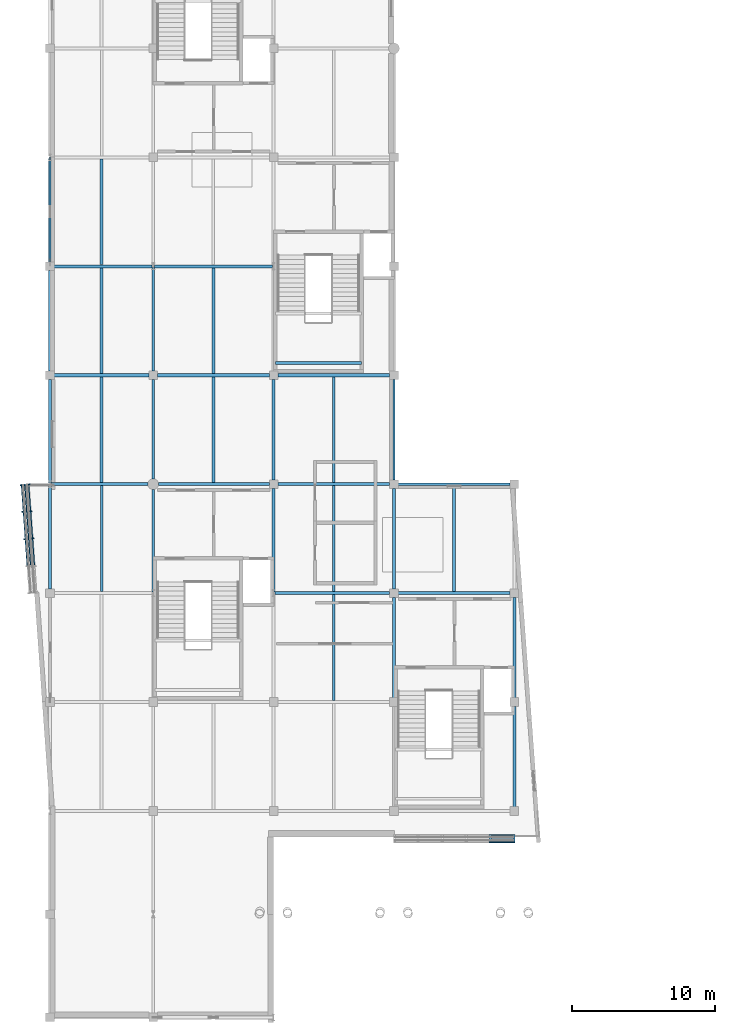
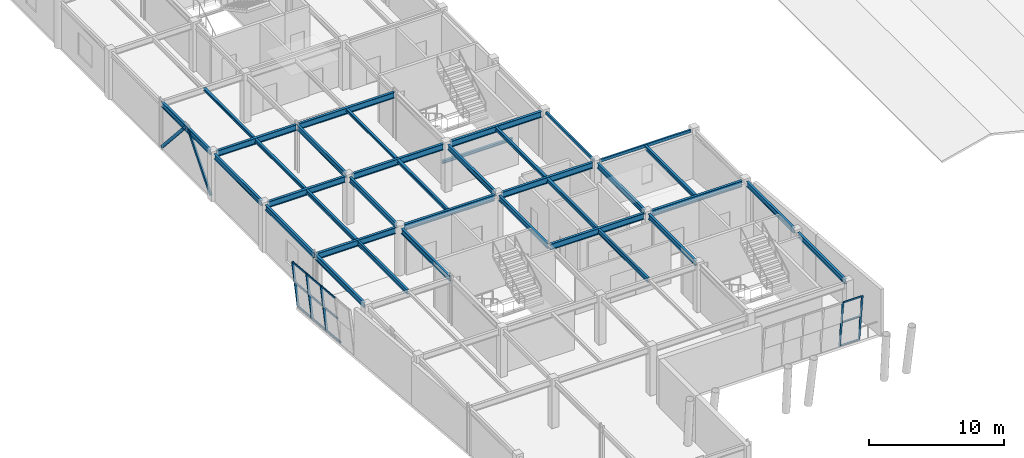
# One storey, part 10 of 28: 36 beams, 19 members, 2 elements without a shape of their own.
"""IFC4 building model written with IfcOpenShell, lengths in metres."""

from ifc_helpers import new_model, si_unit, direction, frame, origin, origin_2d, place, context, subcontext, project, spatial, hollow_rectangle, i_section, extrude, material, layer, layer_set, material_profile, profile_set, type_object, element, aggregate, save


model = new_model("IFC4")

# Units and contexts
model_context = context("Model", 3, precision=1e-05, world=origin(), true_north=direction((0.0, 1.0)))
body_context = subcontext(model_context, "Body", "Model", "MODEL_VIEW")
ifc_project = project(units=[si_unit("LENGTHUNIT", "METRE"), si_unit("AREAUNIT", "SQUARE_METRE"), si_unit("VOLUMEUNIT", "CUBIC_METRE"), si_unit("PLANEANGLEUNIT", "RADIAN"), si_unit("MASSUNIT", "GRAM", prefix="KILO")], contexts=[model_context])

# Site, building, storey
site_placement = place(None, origin())
site = spatial("IfcSite", under=ifc_project, at=site_placement, CompositionType="ELEMENT")
building_placement = place(site_placement, origin())
building = spatial("IfcBuilding", under=site, at=building_placement, Name="Xicomal Pleat Aquarium", CompositionType="ELEMENT")
storey_placement = place(building_placement, frame((0.0, 0.0, 15.300048828125)))
storey = spatial("IfcBuildingStorey", under=building, at=storey_placement, Name="L04", CompositionType="ELEMENT", Elevation=15.300048828125)

# Beams
ifc_material_1 = material(Name="Structural steel A992 Gr 50", Category="steel")
ifc_material_profile_1 = material_profile(ifc_material_1, i_section(OverallWidth=0.201904296875, OverallDepth=0.2470703125, WebThickness=0.00732421875, FlangeThickness=0.010986328125, at=origin_2d()), Name="IR 250x49")
ifc_profile_set_1 = profile_set([ifc_material_profile_1], Name="Structural steel A992 Gr 50")
beam_type_1 = type_object("IfcBeamType", Name="BM-STL-IR250", PredefinedType="JOIST", material=ifc_profile_set_1)
beam_1_placement = place(storey_placement, frame((6.60009765625, 53.30908203125, 4.16650390625), z_axis=(0.0, 1.0, 0.0), x_axis=(-1.0, 0.0, 0.0)))
element("IfcBeam", 1, at=beam_1_placement, inside=storey, type_object=beam_type_1, Name="L04 framing beam FBJ-L04-01-H-1", PredefinedType="JOIST", context=body_context, shape_type="SweptSolid", body=[
    extrude(i_section(OverallWidth=0.201904296875, OverallDepth=0.2470703125, WebThickness=0.00732421875, FlangeThickness=0.010986328125, at=origin_2d()), origin(), (0.0, 0.0, 1.0), 7.3818359375),
])
beam_2_placement = place(storey_placement, frame((14.39990234375, 45.708984375, 4.16650390625), z_axis=(0.0, 1.0, 0.0), x_axis=(-1.0, 0.0, 0.0)))
element("IfcBeam", 2, at=beam_2_placement, inside=storey, type_object=beam_type_1, Name="L04 framing beam FBJ-L04-02-G-1", PredefinedType="JOIST", context=body_context, shape_type="SweptSolid", body=[
    extrude(i_section(OverallWidth=0.201904296875, OverallDepth=0.2470703125, WebThickness=0.00732421875, FlangeThickness=0.010986328125, at=origin_2d()), origin(), (0.0, 0.0, 1.0), 7.382080078125),
])
beam_3_placement = place(storey_placement, frame((18.719970703125, 46.449951171875, 1.928955078125), z_axis=(1.0, 0.0, 0.0), x_axis=(0.0, 1.0, 0.0)))
element("IfcBeam", 3, at=beam_3_placement, inside=storey, type_object=beam_type_1, Name="ST-04-L04 half-landing bearer beam 1", PredefinedType="JOIST", context=body_context, shape_type="SweptSolid", body=[
    extrude(i_section(OverallWidth=0.201904296875, OverallDepth=0.2470703125, WebThickness=0.00732421875, FlangeThickness=0.010986328125, at=origin_2d()), origin(), (0.0, 0.0, 1.0), 6.02001953125),
])
ifc_material_2 = material(Name="Structural steel A992 Gr 50", Category="steel")
ifc_material_profile_2 = material_profile(ifc_material_2, i_section(OverallWidth=0.202880859375, OverallDepth=0.302978515625, WebThickness=0.007568359375, FlangeThickness=0.01318359375, at=origin_2d()), Name="IR 310x60")
ifc_profile_set_2 = profile_set([ifc_material_profile_2], Name="Structural steel A992 Gr 50")
beam_type_2 = type_object("IfcBeamType", Name="BM-STL-IR310", PredefinedType="JOIST", material=ifc_profile_set_2)
for number, where, z_axis, x_axis, name in (
    (4, (6.60009765625, 45.708984375, 4.138427734375), (0.0, 1.0, 0.0), (-1.0, 0.0, 0.0), "L04 framing beam FBJ-L04-01-G-1"),
    (5, (14.39990234375, 38.10888671875, 4.138427734375), (0.0, 1.0, 0.0), (-1.0, 0.0, 0.0), "L04 framing beam FBJ-L04-02-F-1"),
    (6, (22.800048828125, 38.10888671875, 4.138427734375), (0.0, 1.0, 0.0), (-1.0, 0.0, 0.0), "L04 framing beam FBJ-L04-03-F-1"),
):
    element("IfcBeam", number, at=place(storey_placement, frame(where, z_axis=z_axis, x_axis=x_axis)), inside=storey, type_object=beam_type_2, Name=name, PredefinedType="JOIST", context=body_context, shape_type="SweptSolid", body=[
        extrude(i_section(OverallWidth=0.202880859375, OverallDepth=0.302978515625, WebThickness=0.007568359375, FlangeThickness=0.01318359375, at=origin_2d()), origin(), (0.0, 0.0, 1.0), 7.382080078125),
    ])
ifc_material_3 = material(Name="Structural steel A992 Gr 50", Category="steel")
ifc_material_profile_3 = material_profile(ifc_material_3, i_section(OverallWidth=0.205078125, OverallDepth=0.35400390625, WebThickness=0.009521484375, FlangeThickness=0.016845703125, at=origin_2d()), Name="IR 360x79")
ifc_profile_set_3 = profile_set([ifc_material_profile_3], Name="Structural steel A992 Gr 50")
beam_type_3 = type_object("IfcBeamType", Name="BM-STL-IR360", PredefinedType="JOIST", material=ifc_profile_set_3)
for number, where, z_axis, x_axis, name in (
    (7, (6.60009765625, 38.10888671875, 4.113037109375), (0.0, 1.0, 0.0), (-1.0, 0.0, 0.0), "L04 framing beam FBJ-L04-01-F-1"),
    (8, (22.800048828125, 30.509033203125, 4.113037109375), (0.0, 1.0, 0.0), (-1.0, 0.0, 0.0), "L04 framing beam FBJ-L04-03-E-1"),
):
    element("IfcBeam", number, at=place(storey_placement, frame(where, z_axis=z_axis, x_axis=x_axis)), inside=storey, type_object=beam_type_3, Name=name, PredefinedType="JOIST", context=body_context, shape_type="SweptSolid", body=[
        extrude(i_section(OverallWidth=0.205078125, OverallDepth=0.35400390625, WebThickness=0.009521484375, FlangeThickness=0.016845703125, at=origin_2d()), origin(), (0.0, 0.0, 1.0), 7.382080078125),
    ])
beam_4_placement = place(storey_placement, frame((31.199951171875, 30.509033203125, 4.113037109375), z_axis=(0.0, 1.0, 0.0), x_axis=(-1.0, 0.0, 0.0)))
element("IfcBeam", 9, at=beam_4_placement, inside=storey, type_object=beam_type_3, Name="L04 framing beam FBJ-L04-04-E-1", PredefinedType="JOIST", context=body_context, shape_type="SweptSolid", body=[
    extrude(i_section(OverallWidth=0.205078125, OverallDepth=0.35400390625, WebThickness=0.009521484375, FlangeThickness=0.016845703125, at=origin_2d()), origin(), (0.0, 0.0, 1.0), 7.4130859375),
])
ifc_material_4 = material(Name="Structural steel A992 Gr 50", Category="steel")
ifc_material_profile_4 = material_profile(ifc_material_4, i_section(OverallWidth=0.180908203125, OverallDepth=0.4169921875, WebThickness=0.010986328125, FlangeThickness=0.018310546875, at=origin_2d()), Name="IR 410x85")
ifc_profile_set_4 = profile_set([ifc_material_profile_4], Name="Structural steel A992 Gr 50")
beam_type_4 = type_object("IfcBeamType", Name="BM-STL-IR410", PredefinedType="JOIST", material=ifc_profile_set_4)
for number, where, z_axis, x_axis, name in (
    (10, (6.60009765625, 30.509033203125, 4.08154296875), (0.0, 1.0, 0.0), (-1.0, 0.0, 0.0), "L04 framing beam FBJ-L04-01-E-1"),
    (11, (22.800048828125, 22.908935546875, 4.08154296875), (0.0, 1.0, 0.0), (-1.0, 0.0, 0.0), "L04 framing beam FBJ-L04-03-D-1"),
):
    element("IfcBeam", number, at=place(storey_placement, frame(where, z_axis=z_axis, x_axis=x_axis)), inside=storey, type_object=beam_type_4, Name=name, PredefinedType="JOIST", context=body_context, shape_type="SweptSolid", body=[
        extrude(i_section(OverallWidth=0.180908203125, OverallDepth=0.4169921875, WebThickness=0.010986328125, FlangeThickness=0.018310546875, at=origin_2d()), origin(), (0.0, 0.0, 1.0), 7.382080078125),
    ])
ifc_material_5 = material(Name="Structural steel A992 Gr 50", Category="steel")
ifc_material_profile_5 = material_profile(ifc_material_5, i_section(OverallWidth=0.194091796875, OverallDepth=0.468994140625, WebThickness=0.0126953125, FlangeThickness=0.0205078125, at=origin_2d()), Name="IR 460x106")
ifc_profile_set_5 = profile_set([ifc_material_profile_5], Name="Structural steel A992 Gr 50")
beam_type_5 = type_object("IfcBeamType", Name="BM-STL-IR460", PredefinedType="BEAM", material=ifc_profile_set_5)
for number, where, z_axis, x_axis, name in (
    (12, (3.0, 30.695068359375, 4.055419921875), (0.0, 1.0, 0.0), (-1.0, 0.0, 0.0), "L04 framing beam FGY-L04-01-E-F"),
    (13, (3.0, 38.092041015625, 4.055419921875), (0.0, 1.0, 0.0), (-1.0, 0.0, 0.0), "L04 framing beam FGY-L04-01-F-G"),
):
    element("IfcBeam", number, at=place(storey_placement, frame(where, z_axis=z_axis, x_axis=x_axis)), inside=storey, type_object=beam_type_5, Name=name, PredefinedType="BEAM", context=body_context, shape_type="SweptSolid", body=[
        extrude(i_section(OverallWidth=0.194091796875, OverallDepth=0.468994140625, WebThickness=0.0126953125, FlangeThickness=0.0205078125, at=origin_2d()), origin(), (0.0, 0.0, 1.0), 7.212890625),
    ])
beam_5_placement = place(storey_placement, frame((3.0, 45.89501953125, 4.055419921875), z_axis=(0.0, 1.0, 0.0), x_axis=(-1.0, 0.0, 0.0)))
element("IfcBeam", 14, at=beam_5_placement, inside=storey, type_object=beam_type_5, Name="L04 framing beam FGY-L04-01-G-H", PredefinedType="BEAM", context=body_context, shape_type="SweptSolid", body=[
    extrude(i_section(OverallWidth=0.194091796875, OverallDepth=0.468994140625, WebThickness=0.0126953125, FlangeThickness=0.0205078125, at=origin_2d()), origin(), (0.0, 0.0, 1.0), 7.010009765625),
])
beam_6_placement = place(storey_placement, frame((3.0, 53.4951171875, 4.055419921875), z_axis=(0.0, 1.0, 0.0), x_axis=(-1.0, 0.0, 0.0)))
element("IfcBeam", 15, at=beam_6_placement, inside=storey, type_object=beam_type_5, Name="L04 framing beam FGY-L04-01-H-J", PredefinedType="BEAM", context=body_context, shape_type="SweptSolid", body=[
    extrude(i_section(OverallWidth=0.194091796875, OverallDepth=0.468994140625, WebThickness=0.0126953125, FlangeThickness=0.0205078125, at=origin_2d()), origin(), (0.0, 0.0, 1.0), 7.212890625),
])
beam_7_placement = place(storey_placement, frame((10.199951171875, 30.491943359375, 4.055419921875), z_axis=(0.0, 1.0, 0.0), x_axis=(-1.0, 0.0, 0.0)))
element("IfcBeam", 16, at=beam_7_placement, inside=storey, type_object=beam_type_5, Name="L04 framing beam FGY-L04-02-E-F", PredefinedType="BEAM", context=body_context, shape_type="SweptSolid", body=[
    extrude(i_section(OverallWidth=0.194091796875, OverallDepth=0.468994140625, WebThickness=0.0126953125, FlangeThickness=0.0205078125, at=origin_2d()), origin(), (0.0, 0.0, 1.0), 7.137939453125),
])
beam_8_placement = place(storey_placement, frame((10.199951171875, 38.3701171875, 4.055419921875), z_axis=(0.0, 1.0, 0.0), x_axis=(-1.0, 0.0, 0.0)))
element("IfcBeam", 17, at=beam_8_placement, inside=storey, type_object=beam_type_5, Name="L04 framing beam FGY-L04-02-F-G", PredefinedType="BEAM", context=body_context, shape_type="SweptSolid", body=[
    extrude(i_section(OverallWidth=0.194091796875, OverallDepth=0.468994140625, WebThickness=0.0126953125, FlangeThickness=0.0205078125, at=origin_2d()), origin(), (0.0, 0.0, 1.0), 6.934814453125),
])
beam_9_placement = place(storey_placement, frame((10.199951171875, 45.89501953125, 4.055419921875), z_axis=(0.0, 1.0, 0.0), x_axis=(-1.0, 0.0, 0.0)))
element("IfcBeam", 18, at=beam_9_placement, inside=storey, type_object=beam_type_5, Name="L04 framing beam FGY-L04-02-G-H", PredefinedType="BEAM", context=body_context, shape_type="SweptSolid", body=[
    extrude(i_section(OverallWidth=0.194091796875, OverallDepth=0.468994140625, WebThickness=0.0126953125, FlangeThickness=0.0205078125, at=origin_2d()), origin(), (0.0, 0.0, 1.0), 7.212890625),
])
beam_10_placement = place(storey_placement, frame((18.60009765625, 30.491943359375, 4.055419921875), z_axis=(0.0, 1.0, 0.0), x_axis=(-1.0, 0.0, 0.0)))
element("IfcBeam", 19, at=beam_10_placement, inside=storey, type_object=beam_type_5, Name="L04 framing beam FGY-L04-03-E-F", PredefinedType="BEAM", context=body_context, shape_type="SweptSolid", body=[
    extrude(i_section(OverallWidth=0.194091796875, OverallDepth=0.468994140625, WebThickness=0.0126953125, FlangeThickness=0.0205078125, at=origin_2d()), origin(), (0.0, 0.0, 1.0), 7.213134765625),
])
for number, where, z_axis, x_axis, name in (
    (20, (18.60009765625, 38.294921875, 4.055419921875), (0.0, 1.0, 0.0), (-1.0, 0.0, 0.0), "L04 framing beam FGY-L04-03-F-G"),
    (21, (27.0, 23.094970703125, 4.055419921875), (0.0, 1.0, 0.0), (-1.0, 0.0, 0.0), "L04 framing beam FGY-L04-04-D-E"),
    (22, (27.0, 30.695068359375, 4.055419921875), (0.0, 1.0, 0.0), (-1.0, 0.0, 0.0), "L04 framing beam FGY-L04-04-E-F"),
):
    element("IfcBeam", number, at=place(storey_placement, frame(where, z_axis=z_axis, x_axis=x_axis)), inside=storey, type_object=beam_type_5, Name=name, PredefinedType="BEAM", context=body_context, shape_type="SweptSolid", body=[
        extrude(i_section(OverallWidth=0.194091796875, OverallDepth=0.468994140625, WebThickness=0.0126953125, FlangeThickness=0.0205078125, at=origin_2d()), origin(), (0.0, 0.0, 1.0), 7.010009765625),
    ])
beam_11_placement = place(storey_placement, frame((35.39990234375, 15.4951171875, 4.055419921875), z_axis=(0.0, 1.0, 0.0), x_axis=(-1.0, 0.0, 0.0)))
element("IfcBeam", 23, at=beam_11_placement, inside=storey, type_object=beam_type_5, Name="L04 framing beam FGY-L04-05-C-D", PredefinedType="BEAM", context=body_context, shape_type="SweptSolid", body=[
    extrude(i_section(OverallWidth=0.194091796875, OverallDepth=0.468994140625, WebThickness=0.0126953125, FlangeThickness=0.0205078125, at=origin_2d()), origin(), (0.0, 0.0, 1.0), 7.009765625),
])
beam_12_placement = place(storey_placement, frame((35.39990234375, 23.094970703125, 4.055419921875), z_axis=(0.0, 1.0, 0.0), x_axis=(-1.0, 0.0, 0.0)))
element("IfcBeam", 24, at=beam_12_placement, inside=storey, type_object=beam_type_5, Name="L04 framing beam FGY-L04-05-D-E", PredefinedType="BEAM", context=body_context, shape_type="SweptSolid", body=[
    extrude(i_section(OverallWidth=0.194091796875, OverallDepth=0.468994140625, WebThickness=0.0126953125, FlangeThickness=0.0205078125, at=origin_2d()), origin(), (0.0, 0.0, 1.0), 7.010009765625),
])
ifc_material_6 = material(Name="Structural steel A992 Gr 50", Category="steel")
ifc_material_profile_6 = material_profile(ifc_material_6, i_section(OverallWidth=0.2119140625, OverallDepth=0.5439453125, WebThickness=0.01318359375, FlangeThickness=0.021240234375, at=origin_2d()), Name="IR 530x123")
ifc_profile_set_6 = profile_set([ifc_material_profile_6], Name="Structural steel A992 Gr 50")
beam_type_6 = type_object("IfcBeamType", Name="BM-STL-IR530", PredefinedType="BEAM", material=ifc_profile_set_6)
beam_13_placement = place(storey_placement, frame((18.69189453125, 30.39990234375, 4.01806640625), z_axis=(1.0, 0.0, 0.0), x_axis=(0.0, 1.0, 0.0)))
element("IfcBeam", 25, at=beam_13_placement, inside=storey, type_object=beam_type_6, Name="L04 framing beam FGX-L04-03-04-E", PredefinedType="BEAM", context=body_context, shape_type="SweptSolid", body=[
    extrude(i_section(OverallWidth=0.2119140625, OverallDepth=0.5439453125, WebThickness=0.01318359375, FlangeThickness=0.021240234375, at=origin_2d()), origin(), (0.0, 0.0, 1.0), 8.01318359375),
])
beam_14_placement = place(storey_placement, frame((27.294921875, 30.39990234375, 4.01806640625), z_axis=(1.0, 0.0, 0.0), x_axis=(0.0, 1.0, 0.0)))
element("IfcBeam", 26, at=beam_14_placement, inside=storey, type_object=beam_type_6, Name="L04 framing beam FGX-L04-04-05-E", PredefinedType="BEAM", context=body_context, shape_type="SweptSolid", body=[
    extrude(i_section(OverallWidth=0.2119140625, OverallDepth=0.5439453125, WebThickness=0.01318359375, FlangeThickness=0.021240234375, at=origin_2d()), origin(), (0.0, 0.0, 1.0), 7.81005859375),
])
beam_15_placement = place(storey_placement, frame((3.092041015625, 38.0, 4.01806640625), z_axis=(1.0, 0.0, 0.0), x_axis=(0.0, 1.0, 0.0)))
element("IfcBeam", 27, at=beam_15_placement, inside=storey, type_object=beam_type_6, Name="L04 framing beam FGX-L04-01-02-F", PredefinedType="BEAM", context=body_context, shape_type="SweptSolid", body=[
    extrude(i_section(OverallWidth=0.2119140625, OverallDepth=0.5439453125, WebThickness=0.01318359375, FlangeThickness=0.021240234375, at=origin_2d()), origin(), (0.0, 0.0, 1.0), 6.738037109375),
])
beam_16_placement = place(storey_placement, frame((10.570068359375, 38.0, 4.01806640625), z_axis=(1.0, 0.0, 0.0), x_axis=(0.0, 1.0, 0.0)))
element("IfcBeam", 28, at=beam_16_placement, inside=storey, type_object=beam_type_6, Name="L04 framing beam FGX-L04-02-03-F", PredefinedType="BEAM", context=body_context, shape_type="SweptSolid", body=[
    extrude(i_section(OverallWidth=0.2119140625, OverallDepth=0.5439453125, WebThickness=0.01318359375, FlangeThickness=0.021240234375, at=origin_2d()), origin(), (0.0, 0.0, 1.0), 7.73486328125),
])
beam_17_placement = place(storey_placement, frame((18.89501953125, 38.0, 4.01806640625), z_axis=(1.0, 0.0, 0.0), x_axis=(0.0, 1.0, 0.0)))
element("IfcBeam", 29, at=beam_17_placement, inside=storey, type_object=beam_type_6, Name="L04 framing beam FGX-L04-03-04-F", PredefinedType="BEAM", context=body_context, shape_type="SweptSolid", body=[
    extrude(i_section(OverallWidth=0.2119140625, OverallDepth=0.5439453125, WebThickness=0.01318359375, FlangeThickness=0.021240234375, at=origin_2d()), origin(), (0.0, 0.0, 1.0), 7.81005859375),
])
beam_18_placement = place(storey_placement, frame((3.294921875, 45.60009765625, 4.01806640625), z_axis=(1.0, 0.0, 0.0), x_axis=(0.0, 1.0, 0.0)))
element("IfcBeam", 30, at=beam_18_placement, inside=storey, type_object=beam_type_6, Name="L04 framing beam FGX-L04-01-02-G", PredefinedType="BEAM", context=body_context, shape_type="SweptSolid", body=[
    extrude(i_section(OverallWidth=0.2119140625, OverallDepth=0.5439453125, WebThickness=0.01318359375, FlangeThickness=0.021240234375, at=origin_2d()), origin(), (0.0, 0.0, 1.0), 6.610107421875),
])
beam_19_placement = place(storey_placement, frame((10.4951171875, 45.60009765625, 4.01806640625), z_axis=(1.0, 0.0, 0.0), x_axis=(0.0, 1.0, 0.0)))
element("IfcBeam", 31, at=beam_19_placement, inside=storey, type_object=beam_type_6, Name="L04 framing beam FGX-L04-02-03-G", PredefinedType="BEAM", context=body_context, shape_type="SweptSolid", body=[
    extrude(i_section(OverallWidth=0.2119140625, OverallDepth=0.5439453125, WebThickness=0.01318359375, FlangeThickness=0.021240234375, at=origin_2d()), origin(), (0.0, 0.0, 1.0), 7.809814453125),
])
beam_20_placement = place(storey_placement, frame((18.89501953125, 45.60009765625, 4.01806640625), z_axis=(1.0, 0.0, 0.0), x_axis=(0.0, 1.0, 0.0)))
element("IfcBeam", 32, at=beam_20_placement, inside=storey, type_object=beam_type_6, Name="L04 framing beam FGX-L04-03-04-G", PredefinedType="BEAM", context=body_context, shape_type="SweptSolid", body=[
    extrude(i_section(OverallWidth=0.2119140625, OverallDepth=0.5439453125, WebThickness=0.01318359375, FlangeThickness=0.021240234375, at=origin_2d()), origin(), (0.0, 0.0, 1.0), 7.81005859375),
])
beam_21_placement = place(storey_placement, frame((3.294921875, 53.199951171875, 4.01806640625), z_axis=(1.0, 0.0, 0.0), x_axis=(0.0, 1.0, 0.0)))
element("IfcBeam", 33, at=beam_21_placement, inside=storey, type_object=beam_type_6, Name="L04 framing beam FGX-L04-01-02-H", PredefinedType="BEAM", context=body_context, shape_type="SweptSolid", body=[
    extrude(i_section(OverallWidth=0.2119140625, OverallDepth=0.5439453125, WebThickness=0.01318359375, FlangeThickness=0.021240234375, at=origin_2d()), origin(), (0.0, 0.0, 1.0), 6.81298828125),
])
beam_22_placement = place(storey_placement, frame((10.2919921875, 53.199951171875, 4.01806640625), z_axis=(1.0, 0.0, 0.0), x_axis=(0.0, 1.0, 0.0)))
element("IfcBeam", 34, at=beam_22_placement, inside=storey, type_object=beam_type_6, Name="L04 framing beam FGX-L04-02-03-H", PredefinedType="BEAM", context=body_context, shape_type="SweptSolid", body=[
    extrude(i_section(OverallWidth=0.2119140625, OverallDepth=0.5439453125, WebThickness=0.01318359375, FlangeThickness=0.021240234375, at=origin_2d()), origin(), (0.0, 0.0, 1.0), 8.216064453125),
])
ifc_material_7 = material(Name="Structural steel A500 Gr C", Category="steel")
ifc_material_profile_7 = material_profile(ifc_material_7, hollow_rectangle(XDim=0.14990234375, YDim=0.25, WallThickness=0.010009765625, at=origin_2d()), Name="OR 250x150x10")
ifc_profile_set_7 = profile_set([ifc_material_profile_7], Name="Structural steel A500 Gr C")
beam_type_7 = type_object("IfcBeamType", Name="BM-STL-OR250", PredefinedType="SPANDREL", material=ifc_profile_set_7)
beam_23_placement = place(storey_placement, frame((27.294921875, 38.0, 4.1650390625), z_axis=(1.0, 0.0, 0.0), x_axis=(0.0, 1.0, 0.0)))
element("IfcBeam", 35, at=beam_23_placement, inside=storey, type_object=beam_type_7, Name="L04 framing beam FGX-L04-04-05-F", PredefinedType="SPANDREL", context=body_context, shape_type="SweptSolid", body=[
    extrude(hollow_rectangle(XDim=0.14990234375, YDim=0.25, WallThickness=0.010009765625, at=origin_2d()), origin(), (0.0, 0.0, 1.0), 7.81005859375),
])
beam_24_placement = place(storey_placement, frame((27.0, 38.294921875, 4.1650390625), z_axis=(0.0, 1.0, 0.0), x_axis=(-1.0, 0.0, 0.0)))
element("IfcBeam", 36, at=beam_24_placement, inside=storey, type_object=beam_type_7, Name="L04 framing beam FGY-L04-04-F-G", PredefinedType="SPANDREL", context=body_context, shape_type="SweptSolid", body=[
    extrude(hollow_rectangle(XDim=0.14990234375, YDim=0.25, WallThickness=0.010009765625, at=origin_2d()), origin(), (0.0, 0.0, 1.0), 7.010009765625),
])

# Curtain wall, members
ifc_material_8 = material(Name="Bronze anodized aluminium 6063-T6", Category="aluminium")
ifc_layer_1 = layer(ifc_material_8, 0.159912109375)
ifc_layer_set_1 = layer_set([ifc_layer_1], Name="Bronze anodized aluminium 6063-T6")
curtain_wall_type_1 = type_object("IfcCurtainWallType", Name="CW-SYS-04", PredefinedType="NOTDEFINED", material=ifc_layer_set_1)
curtain_wall_1_placement = place(storey_placement, origin())
curtain_wall_1 = element("IfcCurtainWall", 37, at=curtain_wall_1_placement, inside=storey, type_object=curtain_wall_type_1, Name="L04 unitised curtain wall CW-L04-171", PredefinedType="NOTDEFINED")
ifc_material_9 = material(Name="Bronze anodized aluminium 6063-T6", Category="aluminium")
ifc_material_profile_8 = material_profile(ifc_material_9, hollow_rectangle(XDim=0.06494140625, YDim=0.159912109375, WallThickness=0.00390625, at=origin_2d()), Name="ALU MULL 65x160")
ifc_profile_set_8 = profile_set([ifc_material_profile_8], Name="Bronze anodized aluminium 6063-T6")
member_type_1 = type_object("IfcMemberType", Name="CWM-65x160", PredefinedType="MULLION", material=ifc_profile_set_8)
member_1_placement = place(storey_placement, frame((35.367431640625, 13.52001953125, 0.0), z_axis=(0.0, -0.118441067113, 0.992961083639), x_axis=(0.0, -0.992961083639, -0.118441067113)))
member_1 = element("IfcMember", 38, at=member_1_placement, type_object=member_type_1, Name="CW-04 mullion 1", PredefinedType="MULLION", context=body_context, shape_type="SweptSolid", body=[
    extrude(hollow_rectangle(XDim=0.06494140625, YDim=0.159912109375, WallThickness=0.00390625, at=origin_2d()), origin(), (0.0, 0.0, 1.0), 4.320556640625),
])
member_2_placement = place(storey_placement, frame((33.719970703125, 13.52001953125, 0.0), z_axis=(0.0, -0.118441067113, 0.992961083639), x_axis=(0.0, -0.992961083639, -0.118441067113)))
member_2 = element("IfcMember", 39, at=member_2_placement, type_object=member_type_1, Name="CW-04 mullion 2", PredefinedType="MULLION", context=body_context, shape_type="SweptSolid", body=[
    extrude(hollow_rectangle(XDim=0.06494140625, YDim=0.159912109375, WallThickness=0.00390625, at=origin_2d()), origin(), (0.0, 0.0, 1.0), 4.320556640625),
])

ifc_material_10 = material(Name="Bronze anodized aluminium 6063-T6", Category="aluminium")
ifc_layer_2 = layer(ifc_material_10, 0.159912109375)
ifc_layer_set_2 = layer_set([ifc_layer_2], Name="Bronze anodized aluminium 6063-T6")
curtain_wall_type_2 = type_object("IfcCurtainWallType", Name="CW-SYS-09", PredefinedType="NOTDEFINED", material=ifc_layer_set_2)
curtain_wall_2_placement = place(storey_placement, origin())
curtain_wall_2 = element("IfcCurtainWall", 40, at=curtain_wall_2_placement, inside=storey, type_object=curtain_wall_type_2, Name="L04 unitised curtain wall CW-L04-172", PredefinedType="NOTDEFINED")
ifc_material_11 = material(Name="Bronze anodized aluminium 6063-T6", Category="aluminium")
ifc_material_profile_9 = material_profile(ifc_material_11, hollow_rectangle(XDim=0.074951171875, YDim=0.199951171875, WallThickness=0.00439453125, at=origin_2d()), Name="ALU MULL 75x200")
ifc_profile_set_9 = profile_set([ifc_material_profile_9], Name="Bronze anodized aluminium 6063-T6")
member_type_2 = type_object("IfcMemberType", Name="CWM-75x200", PredefinedType="MULLION", material=ifc_profile_set_9)
member_3_placement = place(storey_placement, frame((1.7900390625, 34.2099609375, 0.0), z_axis=(-0.118102567913, -0.008419752449, 0.992965704957), x_axis=(-0.141129798997, 0.989955534459, -0.008391640409)))
member_3 = element("IfcMember", 41, at=member_3_placement, type_object=member_type_2, Name="CW-09 mullion 3", PredefinedType="MULLION", context=body_context, shape_type="SweptSolid", body=[
    extrude(hollow_rectangle(XDim=0.074951171875, YDim=0.199951171875, WallThickness=0.00439453125, at=origin_2d()), origin(), (0.0, 0.0, 1.0), 4.3203125),
])
member_4_placement = place(storey_placement, frame((1.655029296875, 36.110107421875, 0.0), z_axis=(-0.118102567913, -0.008419752449, 0.992965704957), x_axis=(-0.141129798997, 0.989955534459, -0.008391640409)))
member_4 = element("IfcMember", 42, at=member_4_placement, type_object=member_type_2, Name="CW-09 mullion 4", PredefinedType="MULLION", context=body_context, shape_type="SweptSolid", body=[
    extrude(hollow_rectangle(XDim=0.074951171875, YDim=0.199951171875, WallThickness=0.00439453125, at=origin_2d()), origin(), (0.0, 0.0, 1.0), 4.3203125),
])
member_5_placement = place(storey_placement, frame((1.522705078125, 37.97265625, 0.0), z_axis=(-0.118102567913, -0.008419752449, 0.992965704957), x_axis=(-0.141129798997, 0.989955534459, -0.008391640409)))
member_5 = element("IfcMember", 43, at=member_5_placement, type_object=member_type_2, Name="CW-09 mullion 5", PredefinedType="MULLION", context=body_context, shape_type="SweptSolid", body=[
    extrude(hollow_rectangle(XDim=0.074951171875, YDim=0.199951171875, WallThickness=0.00439453125, at=origin_2d()), origin(), (0.0, 0.0, 1.0), 4.3203125),
])

# Member
ifc_material_12 = material(Name="Bronze anodized aluminium 6063-T6", Category="aluminium")
ifc_material_profile_10 = material_profile(ifc_material_12, hollow_rectangle(XDim=0.06494140625, YDim=0.1298828125, WallThickness=0.00390625, at=origin_2d()), Name="ALU TRAN 65x130")
ifc_profile_set_10 = profile_set([ifc_material_profile_10], Name="Bronze anodized aluminium 6063-T6")
member_type_3 = type_object("IfcMemberType", Name="CWT-65x130", PredefinedType="USERDEFINED", material=ifc_profile_set_10)
member_6_placement = place(storey_placement, frame((35.3349609375, 13.51611328125, 0.032470703125), z_axis=(-1.0, 0.0, 0.0), x_axis=(0.0, -1.0, 0.0)))
member_6 = element("IfcMember", 44, at=member_6_placement, type_object=member_type_3, Name="CW-04 transom 1.1", ObjectType="TRANSOM", PredefinedType="USERDEFINED", context=body_context, shape_type="SweptSolid", body=[
    extrude(hollow_rectangle(XDim=0.06494140625, YDim=0.1298828125, WallThickness=0.00390625, at=origin_2d()), origin(), (0.0, 0.0, 1.0), 1.58251953125),
])

member_7_placement = place(storey_placement, frame((35.3349609375, 13.24365234375, 2.31689453125), z_axis=(-1.0, 0.0, 0.0), x_axis=(0.0, -1.0, 0.0)))
member_7 = element("IfcMember", 45, at=member_7_placement, type_object=member_type_3, Name="CW-04 transom 1.2", ObjectType="TRANSOM", PredefinedType="USERDEFINED", context=body_context, shape_type="SweptSolid", body=[
    extrude(hollow_rectangle(XDim=0.06494140625, YDim=0.1298828125, WallThickness=0.00390625, at=origin_2d()), origin(), (0.0, 0.0, 1.0), 1.58251953125),
])

member_8_placement = place(storey_placement, frame((35.3349609375, 13.01220703125, 4.257568359375), z_axis=(-1.0, 0.0, 0.0), x_axis=(0.0, -1.0, 0.0)))
member_8 = element("IfcMember", 46, at=member_8_placement, type_object=member_type_3, Name="CW-04 transom 1.3", ObjectType="TRANSOM", PredefinedType="USERDEFINED", context=body_context, shape_type="SweptSolid", body=[
    extrude(hollow_rectangle(XDim=0.06494140625, YDim=0.1298828125, WallThickness=0.00390625, at=origin_2d()), origin(), (0.0, 0.0, 1.0), 1.58251953125),
])

aggregate(curtain_wall_1, [member_1, member_2, member_6, member_7, member_8])

ifc_material_13 = material(Name="Bronze anodized aluminium 6063-T6", Category="aluminium")
ifc_material_profile_11 = material_profile(ifc_material_13, hollow_rectangle(XDim=0.074951171875, YDim=0.14990234375, WallThickness=0.00439453125, at=origin_2d()), Name="ALU TRAN 75x150")
ifc_profile_set_11 = profile_set([ifc_material_profile_11], Name="Bronze anodized aluminium 6063-T6")
member_type_4 = type_object("IfcMemberType", Name="CWT-75x150", PredefinedType="USERDEFINED", material=ifc_profile_set_11)
member_9_placement = place(storey_placement, frame((1.91796875, 32.34716796875, 0.037353515625), z_axis=(-0.070981554075, 0.997477628311, 0.0), x_axis=(-0.997477628311, -0.070981554075, 0.0)))
member_9 = element("IfcMember", 47, at=member_9_placement, type_object=member_type_4, Name="CW-09 transom 2.1", ObjectType="TRANSOM", PredefinedType="USERDEFINED", context=body_context, shape_type="SweptSolid", body=[
    extrude(hollow_rectangle(XDim=0.074951171875, YDim=0.14990234375, WallThickness=0.00439453125, at=origin_2d()), origin(), (0.0, 0.0, 1.0), 1.829833984375),
])

member_10_placement = place(storey_placement, frame((1.646728515625, 32.327880859375, 2.31689453125), z_axis=(-0.070848800457, 0.997487066319, 0.0), x_axis=(-0.997487066319, -0.070848800457, 0.0)))
member_10 = element("IfcMember", 48, at=member_10_placement, type_object=member_type_4, Name="CW-09 transom 2.2", ObjectType="TRANSOM", PredefinedType="USERDEFINED", context=body_context, shape_type="SweptSolid", body=[
    extrude(hollow_rectangle(XDim=0.074951171875, YDim=0.14990234375, WallThickness=0.00439453125, at=origin_2d()), origin(), (0.0, 0.0, 1.0), 1.829833984375),
])

member_11_placement = place(storey_placement, frame((1.41650390625, 32.311279296875, 4.25244140625), z_axis=(-0.070839372445, 0.99748773592, 0.0), x_axis=(-0.99748773592, -0.070839372445, 0.0)))
member_11 = element("IfcMember", 49, at=member_11_placement, type_object=member_type_4, Name="CW-09 transom 2.3", ObjectType="TRANSOM", PredefinedType="USERDEFINED", context=body_context, shape_type="SweptSolid", body=[
    extrude(hollow_rectangle(XDim=0.074951171875, YDim=0.14990234375, WallThickness=0.00439453125, at=origin_2d()), origin(), (0.0, 0.0, 1.0), 1.830078125),
])

member_12_placement = place(storey_placement, frame((1.782958984375, 34.2470703125, 0.037353515625), z_axis=(-0.070848800457, 0.997487066319, 0.0), x_axis=(-0.997487066319, -0.070848800457, 0.0)))
member_12 = element("IfcMember", 50, at=member_12_placement, type_object=member_type_4, Name="CW-09 transom 3.1", ObjectType="TRANSOM", PredefinedType="USERDEFINED", context=body_context, shape_type="SweptSolid", body=[
    extrude(hollow_rectangle(XDim=0.074951171875, YDim=0.14990234375, WallThickness=0.00439453125, at=origin_2d()), origin(), (0.0, 0.0, 1.0), 1.829833984375),
])

member_13_placement = place(storey_placement, frame((1.51171875, 34.227783203125, 2.31689453125), z_axis=(-0.070848800457, 0.997487066319, 0.0), x_axis=(-0.997487066319, -0.070848800457, 0.0)))
member_13 = element("IfcMember", 51, at=member_13_placement, type_object=member_type_4, Name="CW-09 transom 3.2", ObjectType="TRANSOM", PredefinedType="USERDEFINED", context=body_context, shape_type="SweptSolid", body=[
    extrude(hollow_rectangle(XDim=0.074951171875, YDim=0.14990234375, WallThickness=0.00439453125, at=origin_2d()), origin(), (0.0, 0.0, 1.0), 1.829833984375),
])

member_14_placement = place(storey_placement, frame((1.281494140625, 34.21142578125, 4.25244140625), z_axis=(-0.070848800457, 0.997487066319, 0.0), x_axis=(-0.997487066319, -0.070848800457, 0.0)))
member_14 = element("IfcMember", 52, at=member_14_placement, type_object=member_type_4, Name="CW-09 transom 3.3", ObjectType="TRANSOM", PredefinedType="USERDEFINED", context=body_context, shape_type="SweptSolid", body=[
    extrude(hollow_rectangle(XDim=0.074951171875, YDim=0.14990234375, WallThickness=0.00439453125, at=origin_2d()), origin(), (0.0, 0.0, 1.0), 1.829833984375),
])

member_15_placement = place(storey_placement, frame((1.64794921875, 36.147216796875, 0.037353515625), z_axis=(-0.070840423907, 0.997487661247, 0.0), x_axis=(-0.997487661247, -0.070840423907, 0.0)))
member_15 = element("IfcMember", 53, at=member_15_placement, type_object=member_type_4, Name="CW-09 transom 4.1", ObjectType="TRANSOM", PredefinedType="USERDEFINED", context=body_context, shape_type="SweptSolid", body=[
    extrude(hollow_rectangle(XDim=0.074951171875, YDim=0.14990234375, WallThickness=0.00439453125, at=origin_2d()), origin(), (0.0, 0.0, 1.0), 1.7919921875),
])

member_16_placement = place(storey_placement, frame((1.376708984375, 36.127685546875, 2.31689453125), z_axis=(-0.070830798755, 0.997488344768, 0.0), x_axis=(-0.997488344768, -0.070830798755, 0.0)))
member_16 = element("IfcMember", 54, at=member_16_placement, type_object=member_type_4, Name="CW-09 transom 4.2", ObjectType="TRANSOM", PredefinedType="USERDEFINED", context=body_context, shape_type="SweptSolid", body=[
    extrude(hollow_rectangle(XDim=0.074951171875, YDim=0.14990234375, WallThickness=0.00439453125, at=origin_2d()), origin(), (0.0, 0.0, 1.0), 1.792236328125),
])

member_17_placement = place(storey_placement, frame((1.146484375, 36.111328125, 4.25244140625), z_axis=(-0.070830798755, 0.997488344768, 0.0), x_axis=(-0.997488344768, -0.070830798755, 0.0)))
member_17 = element("IfcMember", 55, at=member_17_placement, type_object=member_type_4, Name="CW-09 transom 4.3", ObjectType="TRANSOM", PredefinedType="USERDEFINED", context=body_context, shape_type="SweptSolid", body=[
    extrude(hollow_rectangle(XDim=0.074951171875, YDim=0.14990234375, WallThickness=0.00439453125, at=origin_2d()), origin(), (0.0, 0.0, 1.0), 1.792236328125),
])

aggregate(curtain_wall_2, [member_3, member_4, member_5, member_9, member_10, member_11, member_12, member_13, member_14, member_15, member_16, member_17])

# Members
ifc_material_14 = material(Name="Structural steel A500 Gr C", Category="steel")
ifc_material_profile_12 = material_profile(ifc_material_14, hollow_rectangle(XDim=0.14990234375, YDim=0.25, WallThickness=0.010009765625, at=origin_2d()), Name="OR 250x150x10")
ifc_profile_set_12 = profile_set([ifc_material_profile_12], Name="Structural steel A500 Gr C")
member_type_5 = type_object("IfcMemberType", Name="MEM-BR-OR250", PredefinedType="BRACE", material=ifc_profile_set_12)
member_18_placement = place(storey_placement, frame((3.0, 53.47998046875, 0.14990234375), z_axis=(0.0, 0.644325458895, 0.764751399488), x_axis=(-1.0, 0.0, 0.0)))
element("IfcMember", 56, at=member_18_placement, inside=storey, type_object=member_type_5, Name="L04 chevron brace 10A", PredefinedType="BRACE", context=body_context, shape_type="SweptSolid", body=[
    extrude(hollow_rectangle(XDim=0.14990234375, YDim=0.25, WallThickness=0.010009765625, at=origin_2d()), origin(), (0.0, 0.0, 1.0), 5.23046875),
])
member_19_placement = place(storey_placement, frame((3.0, 60.722900390625, 0.14990234375), z_axis=(0.0, -0.66617857709, 0.745792265599), x_axis=(1.0, 0.0, 0.0)))
element("IfcMember", 57, at=member_19_placement, inside=storey, type_object=member_type_5, Name="L04 chevron brace 10B", PredefinedType="BRACE", context=body_context, shape_type="SweptSolid", body=[
    extrude(hollow_rectangle(XDim=0.14990234375, YDim=0.25, WallThickness=0.010009765625, at=origin_2d()), origin(), (0.0, 0.0, 1.0), 5.363525390625),
])

save(model, "model.ifc")
